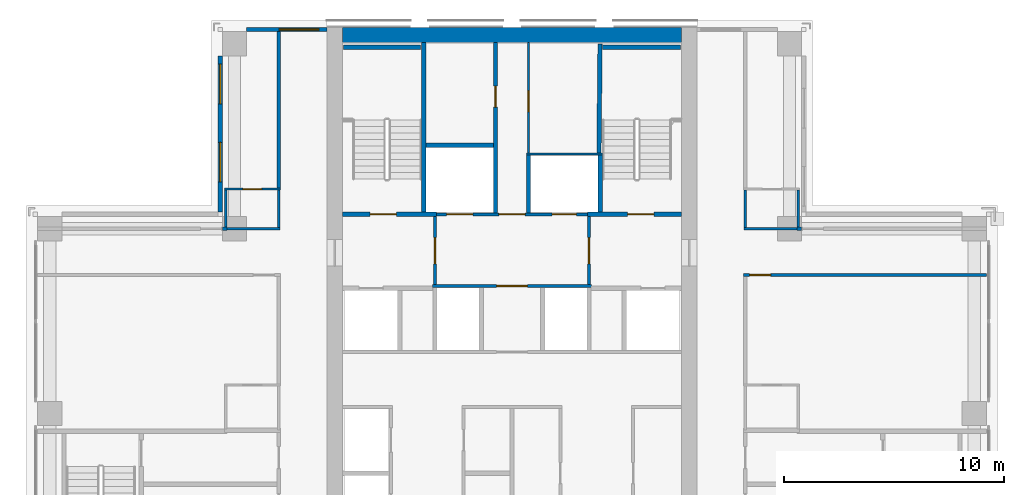
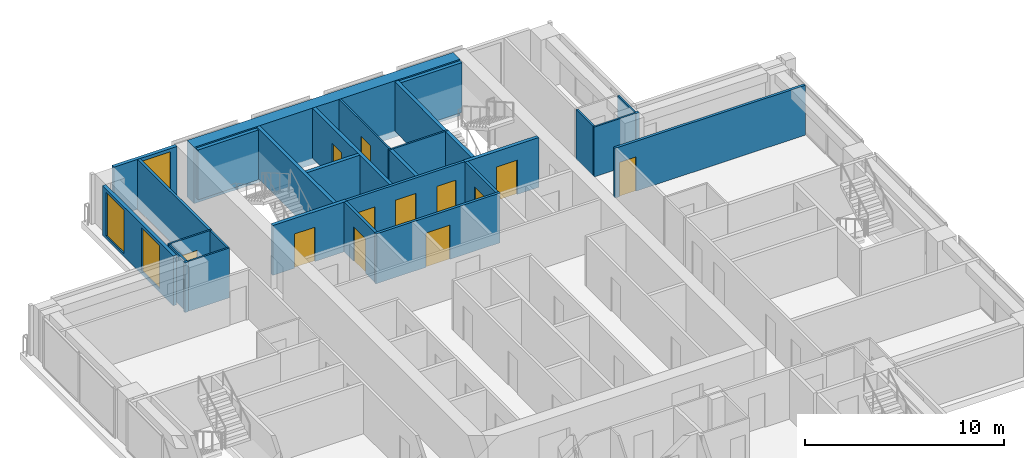
# One storey, part 12 of 16: 30 walls, 12 doors, 3 windows, 15 openings.
"""IFC4 building model written with IfcOpenShell, lengths in metres."""

from ifc_helpers import new_model, si_unit, direction, frame, frame_2d, origin, place, context, subcontext, project, spatial, rectangle, extrude, material, layer, layer_set, type_object, element, fill, save


model = new_model("IFC4")

# Units and contexts
model_context = context("Model", 3, precision=1e-05, world=origin(), true_north=direction((0.0, 1.0)))
body_context = subcontext(model_context, "Body", "Model", "MODEL_VIEW")
ifc_project = project(units=[si_unit("LENGTHUNIT", "METRE"), si_unit("AREAUNIT", "SQUARE_METRE"), si_unit("VOLUMEUNIT", "CUBIC_METRE"), si_unit("PLANEANGLEUNIT", "RADIAN"), si_unit("MASSUNIT", "GRAM", prefix="KILO")], contexts=[model_context])

# Site, building, storey
site_placement = place(None, origin())
site = spatial("IfcSite", under=ifc_project, at=site_placement, CompositionType="ELEMENT")
building_placement = place(site_placement, origin())
building = spatial("IfcBuilding", under=site, at=building_placement, Name="Vermilion Ogive Tower", CompositionType="ELEMENT")
storey_placement = place(building_placement, frame((0.0, 0.0, 140.0)))
storey = spatial("IfcBuildingStorey", under=building, at=storey_placement, Name="L35", CompositionType="ELEMENT", Elevation=140.0)

# Walls
ifc_material_1 = material(Name="Concrete B60", Category="concrete")
ifc_layer_1 = layer(ifc_material_1, 0.699951171875)
ifc_layer_set_1 = layer_set([ifc_layer_1], Name="Core wall 700 B60")
wall_type_1 = type_object("IfcWallType", Name="Core wall 700 B60", PredefinedType="SHEAR", material=ifc_layer_set_1)
wall_1_placement = place(storey_placement, frame((-7.699951171875, 21.39990234375, -0.39990234375), z_axis=(0.0, 0.0, 1.0), x_axis=(1.0, 0.0, 0.0)))
element("IfcWall", 1, at=wall_1_placement, inside=storey, type_object=wall_type_1, Name="L35-CORE-N", PredefinedType="SHEAR", context=body_context, shape_type="SweptSolid", body=[
    extrude(rectangle(XDim=15.39990234375, YDim=0.699951171875, at=frame_2d((7.699951171875, 0.0))), origin(), (0.0, 0.0, 1.0), 3.449951171875),
])
ifc_material_2 = material(Name="Gypsum board partition on steel studs", Category="steel")
ifc_layer_2 = layer(ifc_material_2, 0.10009765625)
ifc_layer_set_2 = layer_set([ifc_layer_2], Name="Partition 100 bath")
wall_type_2 = type_object("IfcWallType", Name="Partition 100 bath", PredefinedType="PARTITIONING", material=ifc_layer_set_2)
for number, where, z_axis, x_axis, name in (
    (2, (-13.050048828125, 12.60009765625, 0.0), (0.0, 0.0, 1.0), (1.0, 0.0, 0.0), "L35-W-W032"),
    (3, (10.550048828125, 12.60009765625, 0.0), (0.0, 0.0, 1.0), (1.0, 0.0, 0.0), "L35-W-W033"),
):
    element("IfcWall", number, at=place(storey_placement, frame(where, z_axis=z_axis, x_axis=x_axis)), inside=storey, type_object=wall_type_2, Name=name, PredefinedType="PARTITIONING", context=body_context, shape_type="SweptSolid", body=[
        extrude(rectangle(XDim=2.5, YDim=0.10009765625, at=frame_2d((1.25, 0.0))), origin(), (0.0, 0.0, 1.0), 3.050048828125),
    ])

# Wall, opening, door
wall_2_placement = place(storey_placement, frame((-13.050048828125, 14.39990234375, 0.0), z_axis=(0.0, 0.0, 1.0), x_axis=(1.0, 0.0, 0.0)))
wall_2 = element("IfcWall", 4, at=wall_2_placement, inside=storey, type_object=wall_type_2, Name="L35-W-W035", PredefinedType="PARTITIONING", context=body_context, shape_type="SweptSolid", body=[
    extrude(rectangle(XDim=2.525146484375, YDim=0.10009765625, at=frame_2d((1.2626953125, 0.0))), origin(), (0.0, 0.0, 1.0), 3.050048828125),
])
opening_1_placement = place(wall_2_placement, frame((0.824951171875, 0.0, 0.0)))
opening_1 = element("IfcOpeningElement", 5, at=opening_1_placement, cuts=wall_2, Name="Opening D3G1006", PredefinedType="OPENING", context=body_context, shape_type="SweptSolid", body=[
    extrude(rectangle(XDim=0.85009765625, YDim=2.10009765625, at=frame_2d((0.425048828125, 1.050048828125))), frame((0.0, 0.06005859375, 0.0), z_axis=(0.0, -1.0, 0.0), x_axis=(1.0, 0.0, 0.0)), (0.0, 0.0, 1.0), 0.1201171875),
])
ifc_material_3 = material(Name="Timber door leaf", Category="wood")
door_type_1 = type_object("IfcDoorType", Name="Bath door 850 x 2100 FD30", OperationType="SINGLE_SWING_LEFT", PredefinedType="DOOR", material=ifc_material_3)
door_1_placement = place(opening_1_placement, origin())
door_1 = element("IfcDoor", 6, at=door_1_placement, inside=storey, type_object=door_type_1, Name="L35-D-D006", OperationType="SINGLE_SWING_RIGHT", OverallHeight=2.10009765625, OverallWidth=0.85009765625, PredefinedType="DOOR", context=body_context, shape_type="SweptSolid", body=[
    extrude(rectangle(XDim=0.85009765625, YDim=2.10009765625, at=frame_2d((0.425048828125, 1.050048828125))), frame((0.0, 0.02490234375, 0.0), z_axis=(0.0, -1.0, 0.0), x_axis=(1.0, 0.0, 0.0)), (0.0, 0.0, 1.0), 0.050048828125),
])
fill(opening_1, door_1)

# Walls
wall_3_placement = place(storey_placement, frame((-13.0, 12.675048828125, 0.0), z_axis=(0.0, 0.0, 1.0), x_axis=(0.0, 1.0, 0.0)))
element("IfcWall", 7, at=wall_3_placement, inside=storey, type_object=wall_type_2, Name="L35-W-W041", PredefinedType="PARTITIONING", context=body_context, shape_type="SweptSolid", body=[
    extrude(rectangle(XDim=1.675048828125, YDim=0.10009765625, at=frame_2d((0.83740234375, 0.0))), origin(), (0.0, 0.0, 1.0), 3.050048828125),
])
for number, where, z_axis, x_axis, name in (
    (8, (-10.60009765625, 12.64990234375, 0.0), (0.0, 0.0, 1.0), (0.0, 1.0, 0.0), "L35-W-W047"),
    (9, (10.60009765625, 12.64990234375, 0.0), (0.0, 0.0, 1.0), (0.0, 1.0, 0.0), "L35-W-W061"),
):
    element("IfcWall", number, at=place(storey_placement, frame(where, z_axis=z_axis, x_axis=x_axis)), inside=storey, type_object=wall_type_2, Name=name, PredefinedType="PARTITIONING", context=body_context, shape_type="SweptSolid", body=[
        extrude(rectangle(XDim=1.7001953125, YDim=0.10009765625, at=frame_2d((0.85009765625, 0.0))), origin(), (0.0, 0.0, 1.0), 3.050048828125),
    ])
wall_4_placement = place(storey_placement, frame((13.0, 12.675048828125, 0.0), z_axis=(0.0, 0.0, 1.0), x_axis=(0.0, 1.0, 0.0)))
element("IfcWall", 10, at=wall_4_placement, inside=storey, type_object=wall_type_2, Name="L35-W-W065", PredefinedType="PARTITIONING", context=body_context, shape_type="SweptSolid", body=[
    extrude(rectangle(XDim=1.675048828125, YDim=0.10009765625, at=frame_2d((0.83740234375, 0.0))), origin(), (0.0, 0.0, 1.0), 3.050048828125),
])
wall_5_placement = place(storey_placement, frame((0.64990234375, 16.0, 0.0), z_axis=(0.0, 0.0, 1.0), x_axis=(1.0, 0.0, 0.0)))
element("IfcWall", 11, at=wall_5_placement, inside=storey, type_object=wall_type_2, Name="L35-CK-W-W018", PredefinedType="PARTITIONING", context=body_context, shape_type="SweptSolid", body=[
    extrude(rectangle(XDim=3.4501953125, YDim=0.10009765625, at=frame_2d((1.72509765625, 0.0))), origin(), (0.0, 0.0, 1.0), 3.050048828125),
])

# Wall, opening, door
wall_6_placement = place(storey_placement, frame((0.75, 16.050048828125, 0.0), z_axis=(0.0, 0.0, 1.0), x_axis=(0.0, 1.0, 0.0)))
wall_6 = element("IfcWall", 12, at=wall_6_placement, inside=storey, type_object=wall_type_2, Name="L35-CK-W-W030", PredefinedType="PARTITIONING", context=body_context, shape_type="SweptSolid", body=[
    extrude(rectangle(XDim=4.9990234375, YDim=0.10009765625, at=frame_2d((2.49951171875, 0.0))), origin(), (0.0, 0.0, 1.0), 3.050048828125),
])
opening_2_placement = place(wall_6_placement, frame((1.875, 0.0, 0.0)))
opening_2 = element("IfcOpeningElement", 13, at=opening_2_placement, cuts=wall_6, Name="Opening DAA288", PredefinedType="OPENING", context=body_context, shape_type="SweptSolid", body=[
    extrude(rectangle(XDim=0.949951171875, YDim=2.10009765625, at=frame_2d((0.47509765625, 1.050048828125))), frame((0.0, 0.06005859375, 0.0), z_axis=(0.0, -1.0, 0.0), x_axis=(1.0, 0.0, 0.0)), (0.0, 0.0, 1.0), 0.1201171875),
])
ifc_material_4 = material(Name="Timber door leaf", Category="wood")
door_type_2 = type_object("IfcDoorType", Name="Service door 950 x 2100 FD60", OperationType="SINGLE_SWING_LEFT", PredefinedType="DOOR", material=ifc_material_4)
door_2_placement = place(opening_2_placement, origin())
door_2 = element("IfcDoor", 14, at=door_2_placement, inside=storey, type_object=door_type_2, Name="L35-CK-D-D022", OperationType="SINGLE_SWING_LEFT", OverallHeight=2.10009765625, OverallWidth=0.949951171875, PredefinedType="DOOR", context=body_context, shape_type="SweptSolid", body=[
    extrude(rectangle(XDim=0.949951171875, YDim=2.10009765625, at=frame_2d((0.47509765625, 1.050048828125))), frame((0.0, 0.02490234375, 0.0), z_axis=(0.0, -1.0, 0.0), x_axis=(1.0, 0.0, 0.0)), (0.0, 0.0, 1.0), 0.050048828125),
])
fill(opening_2, door_2)

ifc_material_5 = material(Name="Gypsum board partition on steel studs", Category="steel")
ifc_layer_3 = layer(ifc_material_5, 0.14990234375)
ifc_layer_set_3 = layer_set([ifc_layer_3], Name="Partition 150 corridor")
wall_type_3 = type_object("IfcWallType", Name="Partition 150 corridor", PredefinedType="PARTITIONING", material=ifc_layer_set_3)
wall_7_placement = place(storey_placement, frame((10.52490234375, 10.5, 0.0), z_axis=(0.0, 0.0, 1.0), x_axis=(1.0, 0.0, 0.0)))
wall_7 = element("IfcWall", 15, at=wall_7_placement, inside=storey, type_object=wall_type_3, Name="L35-W-W030", PredefinedType="PARTITIONING", context=body_context, shape_type="SweptSolid", body=[
    extrude(rectangle(XDim=11.025146484375, YDim=0.14990234375, at=frame_2d((5.5126953125, 0.0))), origin(), (0.0, 0.0, 1.0), 3.050048828125),
])
opening_3_placement = place(wall_7_placement, frame((0.275146484375, 0.0, 0.0)))
opening_3 = element("IfcOpeningElement", 16, at=opening_3_placement, cuts=wall_7, Name="Opening D3G1013", PredefinedType="OPENING", context=body_context, shape_type="SweptSolid", body=[
    extrude(rectangle(XDim=0.949951171875, YDim=2.10009765625, at=frame_2d((0.47509765625, 1.050048828125))), frame((0.0, 0.0849609375, 0.0), z_axis=(0.0, -1.0, 0.0), x_axis=(1.0, 0.0, 0.0)), (0.0, 0.0, 1.0), 0.169921875),
])
ifc_material_6 = material(Name="Timber door leaf", Category="wood")
door_type_3 = type_object("IfcDoorType", Name="Unit door 950 x 2100 FD30S", OperationType="SINGLE_SWING_LEFT", PredefinedType="DOOR", material=ifc_material_6)
door_3_placement = place(opening_3_placement, origin())
door_3 = element("IfcDoor", 17, at=door_3_placement, inside=storey, type_object=door_type_3, Name="L35-D-D013", OperationType="SINGLE_SWING_RIGHT", OverallHeight=2.10009765625, OverallWidth=0.949951171875, PredefinedType="DOOR", context=body_context, shape_type="SweptSolid", body=[
    extrude(rectangle(XDim=0.949951171875, YDim=2.10009765625, at=frame_2d((0.47509765625, 1.050048828125))), frame((0.0, 0.02490234375, 0.0), z_axis=(0.0, -1.0, 0.0), x_axis=(1.0, 0.0, 0.0)), (0.0, 0.0, 1.0), 0.050048828125),
])
fill(opening_3, door_3)

# Walls
wall_8_placement = place(storey_placement, frame((12.949951171875, 12.60009765625, 0.0), z_axis=(0.0, 0.0, 1.0), x_axis=(1.0, 0.0, 0.0)))
element("IfcWall", 18, at=wall_8_placement, inside=storey, type_object=wall_type_3, Name="L35-W-W034", PredefinedType="PARTITIONING", context=body_context, shape_type="SweptSolid", body=[
    extrude(rectangle(XDim=0.199951171875, YDim=0.14990234375, at=frame_2d((0.10009765625, 0.0))), origin(), (0.0, 0.0, 1.0), 3.050048828125),
])
wall_9_placement = place(storey_placement, frame((-10.60009765625, 14.449951171875, 0.0), z_axis=(0.0, 0.0, 1.0), x_axis=(0.0, 1.0, 0.0)))
element("IfcWall", 19, at=wall_9_placement, inside=storey, type_object=wall_type_3, Name="L35-W-W048", PredefinedType="PARTITIONING", context=body_context, shape_type="SweptSolid", body=[
    extrude(rectangle(XDim=7.10009765625, YDim=0.14990234375, at=frame_2d((3.550048828125, 0.0))), origin(), (0.0, 0.0, 1.0), 3.050048828125),
])

# Wall, opening, door
wall_10_placement = place(storey_placement, frame((-3.60009765625, 10.0, 0.0), z_axis=(0.0, 0.0, 1.0), x_axis=(1.0, 0.0, 0.0)))
wall_10 = element("IfcWall", 20, at=wall_10_placement, inside=storey, type_object=wall_type_3, Name="L35-CK-W-W014", PredefinedType="PARTITIONING", context=body_context, shape_type="SweptSolid", body=[
    extrude(rectangle(XDim=7.2001953125, YDim=0.14990234375, at=frame_2d((3.60009765625, 0.0))), origin(), (0.0, 0.0, 1.0), 3.050048828125),
])
opening_4_placement = place(wall_10_placement, frame((2.900146484375, 0.0, 0.0)))
opening_4 = element("IfcOpeningElement", 21, at=opening_4_placement, cuts=wall_10, Name="Opening DAA279", PredefinedType="OPENING", context=body_context, shape_type="SweptSolid", body=[
    extrude(rectangle(XDim=1.39990234375, YDim=2.10009765625, at=frame_2d((0.699951171875, 1.050048828125))), frame((0.0, 0.0849609375, 0.0), z_axis=(0.0, -1.0, 0.0), x_axis=(1.0, 0.0, 0.0)), (0.0, 0.0, 1.0), 0.169921875),
])
ifc_material_7 = material(Name="Timber door leaf", Category="wood")
door_type_4 = type_object("IfcDoorType", Name="Lobby door 1400 x 2100 FD60S", OperationType="SINGLE_SWING_LEFT", PredefinedType="DOOR", material=ifc_material_7)
door_4_placement = place(opening_4_placement, origin())
door_4 = element("IfcDoor", 22, at=door_4_placement, inside=storey, type_object=door_type_4, Name="L35-CK-D-D017", OperationType="SINGLE_SWING_RIGHT", OverallHeight=2.10009765625, OverallWidth=1.39990234375, PredefinedType="DOOR", context=body_context, shape_type="SweptSolid", body=[
    extrude(rectangle(XDim=1.39990234375, YDim=2.10009765625, at=frame_2d((0.699951171875, 1.050048828125))), frame((0.0, 0.02490234375, 0.0), z_axis=(0.0, -1.0, 0.0), x_axis=(1.0, 0.0, 0.0)), (0.0, 0.0, 1.0), 0.050048828125),
])
fill(opening_4, door_4)

# Wall, openings, doors
wall_11_placement = place(storey_placement, frame((-3.574951171875, 13.25, 0.0), z_axis=(0.0, 0.0, 1.0), x_axis=(1.0, 0.0, 0.0)))
wall_11 = element("IfcWall", 23, at=wall_11_placement, inside=storey, type_object=wall_type_3, Name="L35-CK-W-W016", PredefinedType="PARTITIONING", context=body_context, shape_type="SweptSolid", body=[
    extrude(rectangle(XDim=7.14990234375, YDim=0.14990234375, at=frame_2d((3.574951171875, 0.0))), origin(), (0.0, 0.0, 1.0), 3.050048828125),
])
opening_5_placement = place(wall_11_placement, frame((0.599853515625, 0.0, 0.0)))
opening_5 = element("IfcOpeningElement", 24, at=opening_5_placement, cuts=wall_11, Name="Opening DAA299", PredefinedType="OPENING", context=body_context, shape_type="SweptSolid", body=[
    extrude(rectangle(XDim=1.199951171875, YDim=2.10009765625, at=frame_2d((0.60009765625, 1.050048828125))), frame((0.0, 0.0849609375, 0.0), z_axis=(0.0, -1.0, 0.0), x_axis=(1.0, 0.0, 0.0)), (0.0, 0.0, 1.0), 0.169921875),
])
opening_6_placement = place(wall_11_placement, frame((5.39990234375, 0.0, 0.0)))
opening_6 = element("IfcOpeningElement", 25, at=opening_6_placement, cuts=wall_11, Name="Opening DAA298", PredefinedType="OPENING", context=body_context, shape_type="SweptSolid", body=[
    extrude(rectangle(XDim=1.10009765625, YDim=2.10009765625, at=frame_2d((0.550048828125, 1.050048828125))), frame((0.0, 0.0849609375, 0.0), z_axis=(0.0, -1.0, 0.0), x_axis=(1.0, 0.0, 0.0)), (0.0, 0.0, 1.0), 0.169921875),
])
opening_7_placement = place(wall_11_placement, frame((2.974853515625, 0.0, 0.0)))
opening_7 = element("IfcOpeningElement", 26, at=opening_7_placement, cuts=wall_11, Name="Opening DAA280", PredefinedType="OPENING", context=body_context, shape_type="SweptSolid", body=[
    extrude(rectangle(XDim=1.199951171875, YDim=2.10009765625, at=frame_2d((0.60009765625, 1.050048828125))), frame((0.0, 0.0849609375, 0.0), z_axis=(0.0, -1.0, 0.0), x_axis=(1.0, 0.0, 0.0)), (0.0, 0.0, 1.0), 0.169921875),
])
ifc_material_8 = material(Name="Stainless steel", Category="steel")
door_type_5 = type_object("IfcDoorType", Name="Lift landing door 1100 x 2100", OperationType="SLIDING_TO_LEFT", PredefinedType="DOOR", material=ifc_material_8)
door_5_placement = place(opening_6_placement, origin())
door_5 = element("IfcDoor", 27, at=door_5_placement, inside=storey, type_object=door_type_5, Name="L35-CK-D-D019", OperationType="SLIDING_TO_LEFT", OverallHeight=2.10009765625, OverallWidth=1.10009765625, PredefinedType="DOOR", context=body_context, shape_type="SweptSolid", body=[
    extrude(rectangle(XDim=1.10009765625, YDim=2.10009765625, at=frame_2d((0.550048828125, 1.050048828125))), frame((0.0, 0.02490234375, 0.0), z_axis=(0.0, -1.0, 0.0), x_axis=(1.0, 0.0, 0.0)), (0.0, 0.0, 1.0), 0.050048828125),
])
fill(opening_6, door_5)
ifc_material_9 = material(Name="Stainless steel", Category="steel")
door_type_6 = type_object("IfcDoorType", Name="Lift landing door 1200 x 2100", OperationType="SLIDING_TO_LEFT", PredefinedType="DOOR", material=ifc_material_9)
door_6_placement = place(opening_5_placement, origin())
door_6 = element("IfcDoor", 28, at=door_6_placement, inside=storey, type_object=door_type_6, Name="L35-CK-D-D018", OperationType="SLIDING_TO_RIGHT", OverallHeight=2.10009765625, OverallWidth=1.199951171875, PredefinedType="DOOR", context=body_context, shape_type="SweptSolid", body=[
    extrude(rectangle(XDim=1.199951171875, YDim=2.10009765625, at=frame_2d((0.60009765625, 1.050048828125))), frame((0.0, 0.02490234375, 0.0), z_axis=(0.0, -1.0, 0.0), x_axis=(1.0, 0.0, 0.0)), (0.0, 0.0, 1.0), 0.050048828125),
])
fill(opening_5, door_6)
ifc_material_10 = material(Name="Timber door leaf", Category="wood")
door_type_7 = type_object("IfcDoorType", Name="Service door 1200 x 2100 FD60", OperationType="SINGLE_SWING_LEFT", PredefinedType="DOOR", material=ifc_material_10)
door_7_placement = place(opening_7_placement, origin())
door_7 = element("IfcDoor", 29, at=door_7_placement, inside=storey, type_object=door_type_7, Name="L35-CK-D-D020", OperationType="SINGLE_SWING_RIGHT", OverallHeight=2.10009765625, OverallWidth=1.199951171875, PredefinedType="DOOR", context=body_context, shape_type="SweptSolid", body=[
    extrude(rectangle(XDim=1.199951171875, YDim=2.10009765625, at=frame_2d((0.60009765625, 1.050048828125))), frame((0.0, 0.02490234375, 0.0), z_axis=(0.0, -1.0, 0.0), x_axis=(1.0, 0.0, 0.0)), (0.0, 0.0, 1.0), 0.050048828125),
])
fill(opening_7, door_7)

# Wall, opening, door
wall_12_placement = place(storey_placement, frame((-3.5, 10.074951171875, 0.0), z_axis=(0.0, 0.0, 1.0), x_axis=(0.0, 1.0, 0.0)))
wall_12 = element("IfcWall", 30, at=wall_12_placement, inside=storey, type_object=wall_type_3, Name="L35-CK-W-W024", PredefinedType="PARTITIONING", context=body_context, shape_type="SweptSolid", body=[
    extrude(rectangle(XDim=3.074951171875, YDim=0.14990234375, at=frame_2d((1.53759765625, 0.0))), origin(), (0.0, 0.0, 1.0), 3.050048828125),
])
opening_8_placement = place(wall_12_placement, frame((0.925048828125, 0.0, 0.0)))
opening_8 = element("IfcOpeningElement", 31, at=opening_8_placement, cuts=wall_12, Name="Opening DAA276", PredefinedType="OPENING", context=body_context, shape_type="SweptSolid", body=[
    extrude(rectangle(XDim=1.199951171875, YDim=2.10009765625, at=frame_2d((0.60009765625, 1.050048828125))), frame((0.0, 0.0849609375, 0.0), z_axis=(0.0, -1.0, 0.0), x_axis=(1.0, 0.0, 0.0)), (0.0, 0.0, 1.0), 0.169921875),
])
ifc_material_11 = material(Name="Timber door leaf", Category="wood")
door_type_8 = type_object("IfcDoorType", Name="Lobby door 1200 x 2100 FD60S", OperationType="SINGLE_SWING_LEFT", PredefinedType="DOOR", material=ifc_material_11)
door_8_placement = place(opening_8_placement, origin())
door_8 = element("IfcDoor", 32, at=door_8_placement, inside=storey, type_object=door_type_8, Name="L35-CK-D-D023", OperationType="SINGLE_SWING_RIGHT", OverallHeight=2.10009765625, OverallWidth=1.199951171875, PredefinedType="DOOR", context=body_context, shape_type="SweptSolid", body=[
    extrude(rectangle(XDim=1.199951171875, YDim=2.10009765625, at=frame_2d((0.60009765625, 1.050048828125))), frame((0.0, 0.02490234375, 0.0), z_axis=(0.0, -1.0, 0.0), x_axis=(1.0, 0.0, 0.0)), (0.0, 0.0, 1.0), 0.050048828125),
])
fill(opening_8, door_8)

wall_13_placement = place(storey_placement, frame((3.5, 10.074951171875, 0.0), z_axis=(0.0, 0.0, 1.0), x_axis=(0.0, 1.0, 0.0)))
wall_13 = element("IfcWall", 33, at=wall_13_placement, inside=storey, type_object=wall_type_3, Name="L35-CK-W-W034", PredefinedType="PARTITIONING", context=body_context, shape_type="SweptSolid", body=[
    extrude(rectangle(XDim=3.074951171875, YDim=0.14990234375, at=frame_2d((1.53759765625, 0.0))), origin(), (0.0, 0.0, 1.0), 3.050048828125),
])
opening_9_placement = place(wall_13_placement, frame((0.925048828125, 0.0, 0.0)))
opening_9 = element("IfcOpeningElement", 34, at=opening_9_placement, cuts=wall_13, Name="Opening DAA277", PredefinedType="OPENING", context=body_context, shape_type="SweptSolid", body=[
    extrude(rectangle(XDim=1.199951171875, YDim=2.10009765625, at=frame_2d((0.60009765625, 1.050048828125))), frame((0.0, 0.0849609375, 0.0), z_axis=(0.0, -1.0, 0.0), x_axis=(1.0, 0.0, 0.0)), (0.0, 0.0, 1.0), 0.169921875),
])
door_9_placement = place(opening_9_placement, origin())
door_9 = element("IfcDoor", 35, at=door_9_placement, inside=storey, type_object=door_type_8, Name="L35-CK-D-D024", OperationType="SINGLE_SWING_LEFT", OverallHeight=2.10009765625, OverallWidth=1.199951171875, PredefinedType="DOOR", context=body_context, shape_type="SweptSolid", body=[
    extrude(rectangle(XDim=1.199951171875, YDim=2.10009765625, at=frame_2d((0.60009765625, 1.050048828125))), frame((0.0, 0.02490234375, 0.0), z_axis=(0.0, -1.0, 0.0), x_axis=(1.0, 0.0, 0.0)), (0.0, 0.0, 1.0), 0.050048828125),
])
fill(opening_9, door_9)

# Walls
wall_14_placement = place(storey_placement, frame((-13.14990234375, 12.60009765625, 0.0), z_axis=(0.0, 0.0, 1.0), x_axis=(1.0, 0.0, 0.0)))
element("IfcWall", 36, at=wall_14_placement, inside=storey, type_object=wall_type_3, Name="L35-W-W031-h2", PredefinedType="PARTITIONING", context=body_context, shape_type="SweptSolid", body=[
    extrude(rectangle(XDim=0.199951171875, YDim=0.14990234375, at=frame_2d((0.10009765625, 0.0))), origin(), (0.0, 0.0, 1.0), 3.050048828125),
])
ifc_material_12 = material(Name="Gypsum board partition on steel studs", Category="steel")
ifc_layer_4 = layer(ifc_material_12, 0.199951171875)
ifc_layer_set_4 = layer_set([ifc_layer_4], Name="Partition 200 party")
wall_type_4 = type_object("IfcWallType", Name="Partition 200 party", PredefinedType="PARTITIONING", material=ifc_layer_set_4)
wall_15_placement = place(storey_placement, frame((-3.89990234375, 16.39990234375, 0.0), z_axis=(0.0, 0.0, 1.0), x_axis=(1.0, 0.0, 0.0)))
element("IfcWall", 37, at=wall_15_placement, inside=storey, type_object=wall_type_4, Name="L35-CK-W-W019", PredefinedType="PARTITIONING", context=body_context, shape_type="SweptSolid", body=[
    extrude(rectangle(XDim=3.0498046875, YDim=0.199951171875, at=frame_2d((1.52490234375, 0.0))), origin(), (0.0, 0.0, 1.0), 3.050048828125),
])

# Wall, opening, door
wall_16_placement = place(storey_placement, frame((-0.75, 13.324951171875, 0.0), z_axis=(0.0, 0.0, 1.0), x_axis=(0.0, 1.0, 0.0)))
wall_16 = element("IfcWall", 38, at=wall_16_placement, inside=storey, type_object=wall_type_4, Name="L35-CK-W-W027", PredefinedType="PARTITIONING", context=body_context, shape_type="SweptSolid", body=[
    extrude(rectangle(XDim=7.72412109375, YDim=0.199951171875, at=frame_2d((3.862060546875, 0.0))), origin(), (0.0, 0.0, 1.0), 3.050048828125),
])
opening_10_placement = place(wall_16_placement, frame((4.800048828125, 0.0, 0.0)))
opening_10 = element("IfcOpeningElement", 39, at=opening_10_placement, cuts=wall_16, Name="Opening DAA287", PredefinedType="OPENING", context=body_context, shape_type="SweptSolid", body=[
    extrude(rectangle(XDim=0.949951171875, YDim=2.10009765625, at=frame_2d((0.47509765625, 1.050048828125))), frame((0.0, 0.10986328125, 0.0), z_axis=(0.0, -1.0, 0.0), x_axis=(1.0, 0.0, 0.0)), (0.0, 0.0, 1.0), 0.219970703125),
])
door_10_placement = place(opening_10_placement, origin())
door_10 = element("IfcDoor", 40, at=door_10_placement, inside=storey, type_object=door_type_2, Name="L35-CK-D-D021", OperationType="SINGLE_SWING_RIGHT", OverallHeight=2.10009765625, OverallWidth=0.949951171875, PredefinedType="DOOR", context=body_context, shape_type="SweptSolid", body=[
    extrude(rectangle(XDim=0.949951171875, YDim=2.10009765625, at=frame_2d((0.47509765625, 1.050048828125))), frame((0.0, 0.02490234375, 0.0), z_axis=(0.0, -1.0, 0.0), x_axis=(1.0, 0.0, 0.0)), (0.0, 0.0, 1.0), 0.050048828125),
])
fill(opening_10, door_10)

# Wall
wall_17_placement = place(storey_placement, frame((0.75, 13.324951171875, 0.0), z_axis=(0.0, 0.0, 1.0), x_axis=(0.0, 1.0, 0.0)))
element("IfcWall", 41, at=wall_17_placement, inside=storey, type_object=wall_type_4, Name="L35-CK-W-W029", PredefinedType="PARTITIONING", context=body_context, shape_type="SweptSolid", body=[
    extrude(rectangle(XDim=2.625, YDim=0.199951171875, at=frame_2d((1.3125, 0.0))), origin(), (0.0, 0.0, 1.0), 3.050048828125),
])

# Wall, opening, door
ifc_material_13 = material(Name="Concrete B60", Category="concrete")
ifc_layer_5 = layer(ifc_material_13, 0.199951171875)
ifc_layer_set_5 = layer_set([ifc_layer_5], Name="Stair shaft wall 200 Concrete B60")
wall_type_5 = type_object("IfcWallType", Name="Stair shaft wall 200 Concrete B60", PredefinedType="SOLIDWALL", material=ifc_layer_set_5)
wall_18_placement = place(storey_placement, frame((-7.698974609375, 13.25, 0.0), z_axis=(0.0, 0.0, 1.0), x_axis=(1.0, 0.0, 0.0)))
wall_18 = element("IfcWall", 42, at=wall_18_placement, inside=storey, type_object=wall_type_5, Name="L35-CK-W-W015", PredefinedType="SOLIDWALL", context=body_context, shape_type="SweptSolid", body=[
    extrude(rectangle(XDim=4.27392578125, YDim=0.199951171875, at=frame_2d((2.136962890625, 0.0))), origin(), (0.0, 0.0, 1.0), 3.050048828125),
])
opening_11_placement = place(wall_18_placement, frame((1.2490234375, 0.0, 0.0)))
opening_11 = element("IfcOpeningElement", 43, at=opening_11_placement, cuts=wall_18, Name="Opening DAA289", PredefinedType="OPENING", context=body_context, shape_type="SweptSolid", body=[
    extrude(rectangle(XDim=1.199951171875, YDim=2.10009765625, at=frame_2d((0.60009765625, 1.050048828125))), frame((0.0, 0.10986328125, 0.0), z_axis=(0.0, -1.0, 0.0), x_axis=(1.0, 0.0, 0.0)), (0.0, 0.0, 1.0), 0.219970703125),
])
ifc_material_14 = material(Name="Timber door leaf", Category="wood")
door_type_9 = type_object("IfcDoorType", Name="Stair door 1200 x 2100 FD60S", OperationType="SINGLE_SWING_LEFT", PredefinedType="DOOR", material=ifc_material_14)
door_11_placement = place(opening_11_placement, origin())
door_11 = element("IfcDoor", 44, at=door_11_placement, inside=storey, type_object=door_type_9, Name="L35-CK-D-D012", OperationType="SINGLE_SWING_LEFT", OverallHeight=2.10009765625, OverallWidth=1.199951171875, PredefinedType="DOOR", context=body_context, shape_type="SweptSolid", body=[
    extrude(rectangle(XDim=1.199951171875, YDim=2.10009765625, at=frame_2d((0.60009765625, 1.050048828125))), frame((0.0, 0.02490234375, 0.0), z_axis=(0.0, -1.0, 0.0), x_axis=(1.0, 0.0, 0.0)), (0.0, 0.0, 1.0), 0.050048828125),
])
fill(opening_11, door_11)

wall_19_placement = place(storey_placement, frame((3.425048828125, 13.25, 0.0), z_axis=(0.0, 0.0, 1.0), x_axis=(1.0, 0.0, 0.0)))
wall_19 = element("IfcWall", 45, at=wall_19_placement, inside=storey, type_object=wall_type_5, Name="L35-CK-W-W017", PredefinedType="SOLIDWALL", context=body_context, shape_type="SweptSolid", body=[
    extrude(rectangle(XDim=4.27392578125, YDim=0.199951171875, at=frame_2d((2.136962890625, 0.0))), origin(), (0.0, 0.0, 1.0), 3.050048828125),
])
opening_12_placement = place(wall_19_placement, frame((1.824951171875, 0.0, 0.0)))
opening_12 = element("IfcOpeningElement", 46, at=opening_12_placement, cuts=wall_19, Name="Opening DAA290", PredefinedType="OPENING", context=body_context, shape_type="SweptSolid", body=[
    extrude(rectangle(XDim=1.199951171875, YDim=2.10009765625, at=frame_2d((0.60009765625, 1.050048828125))), frame((0.0, 0.10986328125, 0.0), z_axis=(0.0, -1.0, 0.0), x_axis=(1.0, 0.0, 0.0)), (0.0, 0.0, 1.0), 0.219970703125),
])
door_12_placement = place(opening_12_placement, origin())
door_12 = element("IfcDoor", 47, at=door_12_placement, inside=storey, type_object=door_type_9, Name="L35-CK-D-D014", OperationType="SINGLE_SWING_RIGHT", OverallHeight=2.10009765625, OverallWidth=1.199951171875, PredefinedType="DOOR", context=body_context, shape_type="SweptSolid", body=[
    extrude(rectangle(XDim=1.199951171875, YDim=2.10009765625, at=frame_2d((0.60009765625, 1.050048828125))), frame((0.0, 0.02490234375, 0.0), z_axis=(0.0, -1.0, 0.0), x_axis=(1.0, 0.0, 0.0)), (0.0, 0.0, 1.0), 0.050048828125),
])
fill(opening_12, door_12)

# Walls
wall_20_placement = place(storey_placement, frame((-4.0, 13.35009765625, 0.0), z_axis=(0.0, 0.0, 1.0), x_axis=(0.0, 1.0, 0.0)))
element("IfcWall", 48, at=wall_20_placement, inside=storey, type_object=wall_type_5, Name="L35-CK-W-W022", PredefinedType="SOLIDWALL", context=body_context, shape_type="SweptSolid", body=[
    extrude(rectangle(XDim=7.698974609375, YDim=0.199951171875, at=frame_2d((3.849609375, 0.0))), origin(), (0.0, 0.0, 1.0), 3.050048828125),
])
wall_21_placement = place(storey_placement, frame((4.0, 13.35009765625, 0.0), z_axis=(0.0, 0.0, 1.0), x_axis=(0.0, 1.0, 0.0)))
element("IfcWall", 49, at=wall_21_placement, inside=storey, type_object=wall_type_5, Name="L35-CK-W-W035", PredefinedType="SOLIDWALL", context=body_context, shape_type="SweptSolid", body=[
    extrude(rectangle(XDim=2.599853515625, YDim=0.199951171875, at=frame_2d((1.2998046875, 0.0))), origin(), (0.0, 0.0, 1.0), 3.050048828125),
])
wall_22_placement = place(storey_placement, frame((3.949951171875, 16.050048828125, 0.0), z_axis=(0.0, 0.0, 1.0), x_axis=(0.010112452169, 0.999948867848, 0.0)))
element("IfcWall", 50, at=wall_22_placement, inside=storey, type_object=wall_type_5, Name="L35-CK-W-W036", PredefinedType="SOLIDWALL", context=body_context, shape_type="SweptSolid", body=[
    extrude(rectangle(XDim=4.94921875, YDim=0.199951171875, at=frame_2d((2.474609375, 0.0))), origin(), (0.0, 0.0, 1.0), 3.050048828125),
])
wall_23_placement = place(storey_placement, frame((-7.64990234375, 20.85009765625, 0.0), z_axis=(0.0, 0.0, 1.0), x_axis=(1.0, 0.0, 0.0)))
element("IfcWall", 51, at=wall_23_placement, inside=storey, type_object=wall_type_5, Name="L35-SW-R017-N1", PredefinedType="SOLIDWALL", context=body_context, shape_type="SweptSolid", body=[
    extrude(rectangle(XDim=3.5, YDim=0.199951171875, at=frame_2d((1.75, 0.0))), origin(), (0.0, 0.0, 1.0), 3.050048828125),
])
wall_24_placement = place(storey_placement, frame((4.10009765625, 20.85009765625, 0.0), z_axis=(0.0, 0.0, 1.0), x_axis=(1.0, 0.0, 0.0)))
element("IfcWall", 52, at=wall_24_placement, inside=storey, type_object=wall_type_5, Name="L35-SW-R021-N1", PredefinedType="SOLIDWALL", context=body_context, shape_type="SweptSolid", body=[
    extrude(rectangle(XDim=3.5498046875, YDim=0.199951171875, at=frame_2d((1.77490234375, 0.0))), origin(), (0.0, 0.0, 1.0), 3.050048828125),
])

# Wall, opening, window
ifc_material_15 = material(Name="Aluminium window wall framing", Category="aluminium")
ifc_layer_6 = layer(ifc_material_15, 0.199951171875)
ifc_layer_set_6 = layer_set([ifc_layer_6], Name="Window wall")
wall_type_6 = type_object("IfcWallType", Name="Window wall", PredefinedType="STANDARD", material=ifc_layer_set_6)
wall_25_placement = place(storey_placement, frame((-8.39990234375, 21.64990234375, 0.0), z_axis=(0.0, 0.0, 1.0), x_axis=(-1.0, 0.0, 0.0)))
wall_25 = element("IfcWall", 53, at=wall_25_placement, inside=storey, type_object=wall_type_6, Name="Window wall N21", PredefinedType="STANDARD", context=body_context, shape_type="SweptSolid", body=[
    extrude(rectangle(XDim=3.650146484375, YDim=0.199951171875, at=frame_2d((1.8251953125, 0.0))), origin(), (0.0, 0.0, 1.0), 3.050048828125),
])
opening_13_placement = place(wall_25_placement, frame((0.375, 0.0, 0.199951171875)))
opening_13 = element("IfcOpeningElement", 54, at=opening_13_placement, cuts=wall_25, Name="Opening W1-N297", PredefinedType="OPENING", context=body_context, shape_type="SweptSolid", body=[
    extrude(rectangle(XDim=1.800048828125, YDim=2.64990234375, at=frame_2d((0.89990234375, 1.324951171875))), frame((0.0, 0.10986328125, 0.0), z_axis=(0.0, -1.0, 0.0), x_axis=(1.0, 0.0, 0.0)), (0.0, 0.0, 1.0), 0.219970703125),
])
ifc_material_16 = material(Name="Aluminium framed double glazing", Category="aluminium")
window_type = type_object("IfcWindowType", Name="Guest window W1", PartitioningType="SINGLE_PANEL", PredefinedType="WINDOW", material=ifc_material_16)
window_1_placement = place(opening_13_placement, origin())
window_1 = element("IfcWindow", 55, at=window_1_placement, inside=storey, type_object=window_type, Name="Window N297", OverallHeight=2.64990234375, OverallWidth=1.800048828125, PartitioningType="SINGLE_PANEL", PredefinedType="WINDOW", context=body_context, shape_type="SweptSolid", body=[
    extrude(rectangle(XDim=1.800048828125, YDim=2.64990234375, at=frame_2d((0.89990234375, 1.324951171875))), frame((0.0, 0.030029296875, 0.0), z_axis=(0.0, -1.0, 0.0), x_axis=(1.0, 0.0, 0.0)), (0.0, 0.0, 1.0), 0.06005859375),
])
fill(opening_13, window_1)

# Wall, openings, windows
wall_26_placement = place(storey_placement, frame((-13.25, 20.449951171875, 0.0), z_axis=(0.0, 0.0, 1.0), x_axis=(0.0, -1.0, 0.0)))
wall_26 = element("IfcWall", 56, at=wall_26_placement, inside=storey, type_object=wall_type_6, Name="Window wall X51", PredefinedType="STANDARD", context=body_context, shape_type="SweptSolid", body=[
    extrude(rectangle(XDim=7.099853515625, YDim=0.199951171875, at=frame_2d((3.5498046875, 0.0))), origin(), (0.0, 0.0, 1.0), 3.050048828125),
])
opening_14_placement = place(wall_26_placement, frame((3.925048828125, 0.0, 0.199951171875)))
opening_14 = element("IfcOpeningElement", 57, at=opening_14_placement, cuts=wall_26, Name="Opening W1-X503", PredefinedType="OPENING", context=body_context, shape_type="SweptSolid", body=[
    extrude(rectangle(XDim=1.800048828125, YDim=2.64990234375, at=frame_2d((0.89990234375, 1.324951171875))), frame((0.0, 0.10986328125, 0.0), z_axis=(0.0, -1.0, 0.0), x_axis=(1.0, 0.0, 0.0)), (0.0, 0.0, 1.0), 0.219970703125),
])
opening_15_placement = place(wall_26_placement, frame((0.375, 0.0, 0.199951171875)))
opening_15 = element("IfcOpeningElement", 58, at=opening_15_placement, cuts=wall_26, Name="Opening W1-X504", PredefinedType="OPENING", context=body_context, shape_type="SweptSolid", body=[
    extrude(rectangle(XDim=1.800048828125, YDim=2.64990234375, at=frame_2d((0.89990234375, 1.324951171875))), frame((0.0, 0.10986328125, 0.0), z_axis=(0.0, -1.0, 0.0), x_axis=(1.0, 0.0, 0.0)), (0.0, 0.0, 1.0), 0.219970703125),
])
window_2_placement = place(opening_14_placement, origin())
window_2 = element("IfcWindow", 59, at=window_2_placement, inside=storey, type_object=window_type, Name="Window X503", OverallHeight=2.64990234375, OverallWidth=1.800048828125, PartitioningType="SINGLE_PANEL", PredefinedType="WINDOW", context=body_context, shape_type="SweptSolid", body=[
    extrude(rectangle(XDim=1.800048828125, YDim=2.64990234375, at=frame_2d((0.89990234375, 1.324951171875))), frame((0.0, 0.030029296875, 0.0), z_axis=(0.0, -1.0, 0.0), x_axis=(1.0, 0.0, 0.0)), (0.0, 0.0, 1.0), 0.06005859375),
])
fill(opening_14, window_2)
window_3_placement = place(opening_15_placement, origin())
window_3 = element("IfcWindow", 60, at=window_3_placement, inside=storey, type_object=window_type, Name="Window X504", OverallHeight=2.64990234375, OverallWidth=1.800048828125, PartitioningType="SINGLE_PANEL", PredefinedType="WINDOW", context=body_context, shape_type="SweptSolid", body=[
    extrude(rectangle(XDim=1.800048828125, YDim=2.64990234375, at=frame_2d((0.89990234375, 1.324951171875))), frame((0.0, 0.030029296875, 0.0), z_axis=(0.0, -1.0, 0.0), x_axis=(1.0, 0.0, 0.0)), (0.0, 0.0, 1.0), 0.06005859375),
])
fill(opening_15, window_3)

save(model, "model.ifc")
